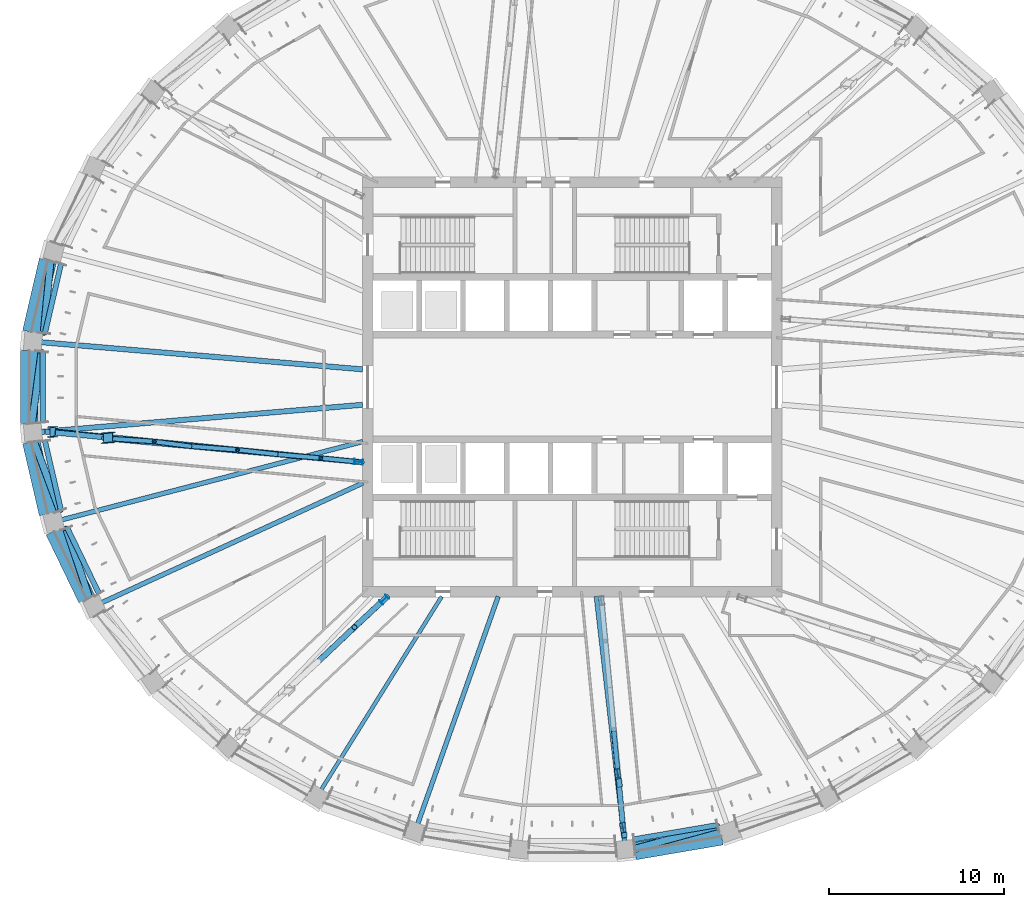
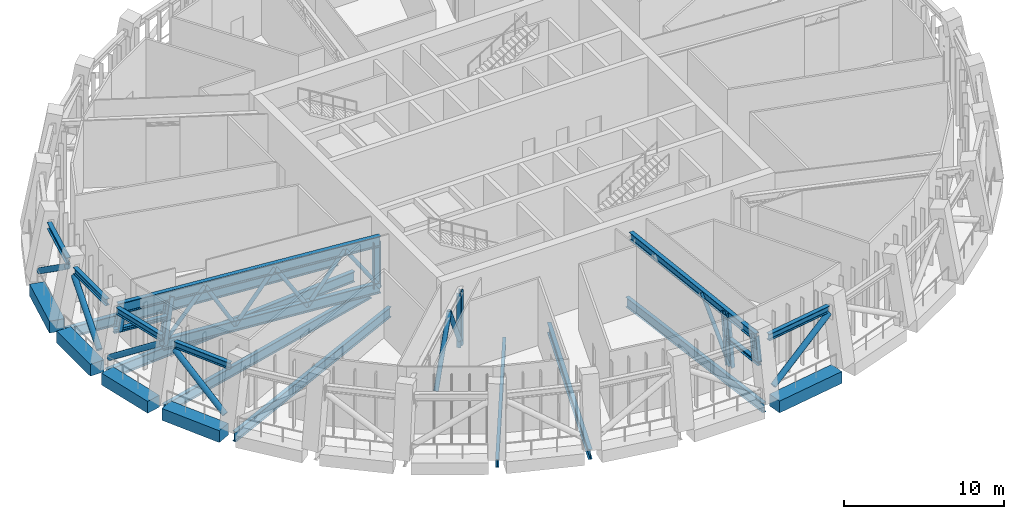
# One storey, part 2 of 20: 30 members, 12 beams.
"""IFC4 building model written with IfcOpenShell, lengths in metres."""

from ifc_helpers import new_model, si_unit, direction, frame, origin, origin_2d, place, context, subcontext, project, spatial, rectangle, hollow_circle, i_section, extrude, material, material_profile, profile_set, type_object, element, save


model = new_model("IFC4")

# Units and contexts
model_context = context("Model", 3, precision=1e-05, world=origin(), true_north=direction((0.0, 1.0)))
body_context = subcontext(model_context, "Body", "Model", "MODEL_VIEW")
ifc_project = project(units=[si_unit("LENGTHUNIT", "METRE"), si_unit("AREAUNIT", "SQUARE_METRE"), si_unit("VOLUMEUNIT", "CUBIC_METRE"), si_unit("PLANEANGLEUNIT", "RADIAN"), si_unit("MASSUNIT", "GRAM", prefix="KILO")], contexts=[model_context])

# Site, building, storey
site_placement = place(None, origin())
site = spatial("IfcSite", under=ifc_project, at=site_placement, CompositionType="ELEMENT")
building_placement = place(site_placement, origin())
building = spatial("IfcBuilding", under=site, at=building_placement, Name="Halqa Exchange Tower", CompositionType="ELEMENT")
storey_placement = place(building_placement, frame((0.0, 0.0, 250.89990234375)))
storey = spatial("IfcBuildingStorey", under=building, at=storey_placement, Name="L58", CompositionType="ELEMENT", Elevation=250.89990234375)

# Members
ifc_material_1 = material(Name="Steel S355", Category="steel")
ifc_material_profile_1 = material_profile(ifc_material_1, i_section(OverallWidth=0.300048828125, OverallDepth=0.5, WebThickness=0.014404296875, FlangeThickness=0.028076171875, FilletRadius=0.027099609375, at=origin_2d()), Name="HEB 500")
ifc_profile_set_1 = profile_set([ifc_material_profile_1], Name="Steel S355")
member_type_1 = type_object("IfcMemberType", Name="Belt truss chord HEB 500", PredefinedType="CHORD", material=ifc_profile_set_1)
member_1_placement = place(storey_placement, frame((-29.232421875, 7.0576171875, 4.25), z_axis=(-0.226017574115, -0.974123224336, 0.0), x_axis=(0.974123224336, -0.226017574115, 0.0)))
element("IfcMember", 1, at=member_1_placement, inside=storey, type_object=member_type_1, Name="Belt chord 15", PredefinedType="CHORD", context=body_context, shape_type="SweptSolid", body=[
    extrude(i_section(OverallWidth=0.300048828125, OverallDepth=0.5, WebThickness=0.014404296875, FlangeThickness=0.028076171875, FilletRadius=0.027099609375, at=origin_2d()), origin(), (0.0, 0.0, 1.0), 4.094970703125),
])
member_2_placement = place(storey_placement, frame((-30.27685546875, 2.029541015625, 4.25), z_axis=(0.0, -1.0, 0.0), x_axis=(1.0, 0.0, 0.0)))
element("IfcMember", 2, at=member_2_placement, inside=storey, type_object=member_type_1, Name="Belt chord 16", PredefinedType="CHORD", context=body_context, shape_type="SweptSolid", body=[
    extrude(i_section(OverallWidth=0.300048828125, OverallDepth=0.5, WebThickness=0.014404296875, FlangeThickness=0.028076171875, FilletRadius=0.027099609375, at=origin_2d()), origin(), (0.0, 0.0, 1.0), 4.05908203125),
])
member_3_placement = place(storey_placement, frame((-30.157958984375, -3.068603515625, 4.25), z_axis=(0.226017574115, -0.974123224336, 0.0), x_axis=(0.974123224336, 0.226017574115, 0.0)))
element("IfcMember", 3, at=member_3_placement, inside=storey, type_object=member_type_1, Name="Belt chord 17", PredefinedType="CHORD", context=body_context, shape_type="SweptSolid", body=[
    extrude(i_section(OverallWidth=0.300048828125, OverallDepth=0.5, WebThickness=0.014404296875, FlangeThickness=0.028076171875, FilletRadius=0.027099609375, at=origin_2d()), origin(), (0.0, 0.0, 1.0), 4.094970703125),
])
member_4_placement = place(storey_placement, frame((-28.884765625, -8.04296875, 4.25), z_axis=(0.4350908165, -0.90038657331, 0.0), x_axis=(0.90038657331, 0.4350908165, 0.0)))
element("IfcMember", 4, at=member_4_placement, inside=storey, type_object=member_type_1, Name="Belt chord 18", PredefinedType="CHORD", context=body_context, shape_type="SweptSolid", body=[
    extrude(i_section(OverallWidth=0.300048828125, OverallDepth=0.5, WebThickness=0.014404296875, FlangeThickness=0.028076171875, FilletRadius=0.027099609375, at=origin_2d()), origin(), (0.0, 0.0, 1.0), 4.195068359375),
])
member_5_placement = place(storey_placement, frame((3.498779296875, -25.863525390625, 4.25), z_axis=(0.985775224511, 0.168069053487, 0.0), x_axis=(-0.168069053487, 0.985775224511, 0.0)))
element("IfcMember", 5, at=member_5_placement, inside=storey, type_object=member_type_1, Name="Belt chord 25", PredefinedType="CHORD", context=body_context, shape_type="SweptSolid", body=[
    extrude(i_section(OverallWidth=0.300048828125, OverallDepth=0.5, WebThickness=0.014404296875, FlangeThickness=0.028076171875, FilletRadius=0.027099609375, at=origin_2d()), origin(), (0.0, 0.0, 1.0), 4.88525390625),
])
ifc_material_profile_2 = material_profile(ifc_material_1, hollow_circle(Radius=0.203125, WallThickness=0.02490234375, at=origin_2d()), Name="CHS 406.4x25")
ifc_profile_set_2 = profile_set([ifc_material_profile_2], Name="Steel S355")
member_type_2 = type_object("IfcMemberType", Name="Belt truss diagonal CHS 406.4x25", PredefinedType="BRACE", material=ifc_profile_set_2)
member_6_placement = place(storey_placement, frame((-29.82958984375, 7.206298828125, 0.8876953125), z_axis=(-0.077729788774, -0.80790279843, 0.584167055067), x_axis=(0.99540353066, -0.095769573188, 0.0)))
element("IfcMember", 6, at=member_6_placement, inside=storey, type_object=member_type_2, Name="Belt diagonal 15", PredefinedType="BRACE", context=body_context, shape_type="SweptSolid", body=[
    extrude(hollow_circle(Radius=0.203125, WallThickness=0.02490234375, at=origin_2d()), origin(), (0.0, 0.0, 1.0), 5.11328125),
])
member_7_placement = place(storey_placement, frame((-30.34619140625, 2.038818359375, 3.875), z_axis=(-0.107539329711, -0.804804314058, -0.583716805171), x_axis=(0.991190414938, -0.132444559474, 0.0)))
element("IfcMember", 7, at=member_7_placement, inside=storey, type_object=member_type_2, Name="Belt diagonal 16", PredefinedType="BRACE", context=body_context, shape_type="SweptSolid", body=[
    extrude(hollow_circle(Radius=0.203125, WallThickness=0.02490234375, at=origin_2d()), origin(), (0.0, 0.0, 1.0), 5.119384765625),
])
member_8_placement = place(storey_placement, frame((-30.779296875, -3.11865234375, 0.8818359375), z_axis=(0.285989857833, -0.764098993003, 0.578240892801), x_axis=(0.936549522453, 0.350535293506, 0.0)))
element("IfcMember", 8, at=member_8_placement, inside=storey, type_object=member_type_2, Name="Belt diagonal 17", PredefinedType="BRACE", context=body_context, shape_type="SweptSolid", body=[
    extrude(hollow_circle(Radius=0.203125, WallThickness=0.02490234375, at=origin_2d()), origin(), (0.0, 0.0, 1.0), 5.18603515625),
])
member_9_placement = place(storey_placement, frame((-28.9482421875, -8.064453125, 3.87939453125), z_axis=(0.25799046878, -0.773121821919, -0.579416574229), x_axis=(0.948579007058, 0.31654046719, 0.0)))
element("IfcMember", 9, at=member_9_placement, inside=storey, type_object=member_type_2, Name="Belt diagonal 18", PredefinedType="BRACE", context=body_context, shape_type="SweptSolid", body=[
    extrude(hollow_circle(Radius=0.203125, WallThickness=0.02490234375, at=origin_2d()), origin(), (0.0, 0.0, 1.0), 5.172607421875),
])
member_10_placement = place(storey_placement, frame((3.561767578125, -26.4033203125, 0.83203125), z_axis=(0.817505300684, 0.224772077294, 0.530247674793), x_axis=(-0.265110559266, 0.96421802066, 0.0)))
element("IfcMember", 10, at=member_10_placement, inside=storey, type_object=member_type_2, Name="Belt diagonal 25", PredefinedType="BRACE", context=body_context, shape_type="SweptSolid", body=[
    extrude(hollow_circle(Radius=0.203125, WallThickness=0.02490234375, at=origin_2d()), origin(), (0.0, 0.0, 1.0), 5.82958984375),
])

# Beams
ifc_material_profile_3 = material_profile(ifc_material_1, i_section(OverallWidth=0.300048828125, OverallDepth=0.800048828125, WebThickness=0.017578125, FlangeThickness=0.032958984375, FilletRadius=0.030029296875, at=origin_2d()), Name="HEB 800")
ifc_profile_set_3 = profile_set([ifc_material_profile_3], Name="Steel S355")
beam_type_1 = type_object("IfcBeamType", Name="Floor beam HEB 800", PredefinedType="BEAM", material=ifc_profile_set_3)
for number, where, z_axis, x_axis, name in (
    (11, (-11.972412109375, 1.0107421875, -0.75), (-0.996455630381, 0.084120013563, 0.0), (-0.084120013563, -0.996455630381, 0.0), "Radial beam 16"),
    (12, (-11.972412109375, -1.0107421875, -0.75), (-0.996455630381, -0.084120013563, 0.0), (0.084120013563, -0.996455630381, 0.0), "Radial beam 17"),
):
    element("IfcBeam", number, at=place(storey_placement, frame(where, z_axis=z_axis, x_axis=x_axis)), inside=storey, type_object=beam_type_1, Name=name, PredefinedType="BEAM", context=body_context, shape_type="SweptSolid", body=[
        extrude(i_section(OverallWidth=0.300048828125, OverallDepth=0.800048828125, WebThickness=0.017578125, FlangeThickness=0.032958984375, FilletRadius=0.030029296875, at=origin_2d()), origin(), (0.0, 0.0, 1.0), 18.78369140625),
    ])
ifc_material_profile_4 = material_profile(ifc_material_1, i_section(OverallWidth=0.219970703125, OverallDepth=0.60009765625, WebThickness=0.011962890625, FlangeThickness=0.01904296875, FilletRadius=0.02392578125, at=origin_2d()), Name="IPE 600")
ifc_profile_set_4 = profile_set([ifc_material_profile_4], Name="Steel S355")
beam_type_2 = type_object("IfcBeamType", Name="Floor beam IPE 600", PredefinedType="BEAM", material=ifc_profile_set_4)
beam_1_placement = place(storey_placement, frame((-7.4658203125, -11.972412109375, -0.64990234375), z_axis=(-0.529135296515, -0.848537469993, 0.0), x_axis=(0.848537469993, -0.529135296515, 0.0)))
element("IfcBeam", 13, at=beam_1_placement, inside=storey, type_object=beam_type_2, Name="Radial beam 22", PredefinedType="BEAM", context=body_context, shape_type="SweptSolid", body=[
    extrude(i_section(OverallWidth=0.219970703125, OverallDepth=0.60009765625, WebThickness=0.011962890625, FlangeThickness=0.01904296875, FilletRadius=0.02392578125, at=origin_2d()), origin(), (0.0, 0.0, 1.0), 13.319091796875),
])
ifc_material_profile_5 = material_profile(ifc_material_1, i_section(OverallWidth=0.264892578125, OverallDepth=0.7529296875, WebThickness=0.01318359375, FlangeThickness=0.01708984375, FilletRadius=0.01708984375, at=origin_2d()), Name="IPE 750x147")
ifc_profile_set_5 = profile_set([ifc_material_profile_5], Name="Steel S355")
beam_type_3 = type_object("IfcBeamType", Name="Floor beam IPE 750x147", PredefinedType="BEAM", material=ifc_profile_set_5)
beam_2_placement = place(storey_placement, frame((-4.23681640625, -11.9716796875, -0.726318359375), z_axis=(-0.333623449979, -0.942706419637, 0.0), x_axis=(0.942706419637, -0.333623449979, 0.0)))
element("IfcBeam", 14, at=beam_2_placement, inside=storey, type_object=beam_type_3, Name="Radial beam 23", PredefinedType="BEAM", context=body_context, shape_type="SweptSolid", body=[
    extrude(i_section(OverallWidth=0.264892578125, OverallDepth=0.7529296875, WebThickness=0.01318359375, FlangeThickness=0.01708984375, FilletRadius=0.01708984375, at=origin_2d()), origin(), (0.0, 0.0, 1.0), 14.08251953125),
])
beam_3_placement = place(storey_placement, frame((1.375732421875, -11.972900390625, -0.726318359375), z_axis=(0.114151559232, -0.993463346845, 0.0), x_axis=(0.993463346845, 0.114151559232, 0.0)))
element("IfcBeam", 15, at=beam_3_placement, inside=storey, type_object=beam_type_3, Name="Radial beam 25", PredefinedType="BEAM", context=body_context, shape_type="SweptSolid", body=[
    extrude(i_section(OverallWidth=0.264892578125, OverallDepth=0.7529296875, WebThickness=0.01318359375, FlangeThickness=0.01708984375, FilletRadius=0.01708984375, at=origin_2d()), origin(), (0.0, 0.0, 1.0), 14.37451171875),
])
ifc_material_profile_6 = material_profile(ifc_material_1, i_section(OverallWidth=0.26806640625, OverallDepth=0.77001953125, WebThickness=0.015625, FlangeThickness=0.025390625, FilletRadius=0.01708984375, at=origin_2d()), Name="IPE 750x196")
ifc_profile_set_6 = profile_set([ifc_material_profile_6], Name="Steel S355")
beam_type_4 = type_object("IfcBeamType", Name="Floor beam IPE 750x196", PredefinedType="BEAM", material=ifc_profile_set_6)
beam_4_placement = place(storey_placement, frame((-11.97119140625, -3.112548828125, -0.73486328125), z_axis=(-0.967817321114, -0.251653795821, 0.0), x_axis=(0.251653795821, -0.967817321114, 0.0)))
element("IfcBeam", 16, at=beam_4_placement, inside=storey, type_object=beam_type_4, Name="Radial beam 18", PredefinedType="BEAM", context=body_context, shape_type="SweptSolid", body=[
    extrude(i_section(OverallWidth=0.26806640625, OverallDepth=0.77001953125, WebThickness=0.015625, FlangeThickness=0.025390625, FilletRadius=0.01708984375, at=origin_2d()), origin(), (0.0, 0.0, 1.0), 18.116455078125),
])
beam_5_placement = place(storey_placement, frame((-11.97119140625, -5.484619140625, -0.73486328125), z_axis=(-0.909127215355, -0.41651855457, 0.0), x_axis=(0.41651855457, -0.909127215355, 0.0)))
element("IfcBeam", 17, at=beam_5_placement, inside=storey, type_object=beam_type_4, Name="Radial beam 19", PredefinedType="BEAM", context=body_context, shape_type="SweptSolid", body=[
    extrude(i_section(OverallWidth=0.26806640625, OverallDepth=0.77001953125, WebThickness=0.015625, FlangeThickness=0.025390625, FilletRadius=0.01708984375, at=origin_2d()), origin(), (0.0, 0.0, 1.0), 16.732666015625),
])

# Members
ifc_material_profile_7 = material_profile(ifc_material_1, i_section(OverallWidth=0.300048828125, OverallDepth=0.60009765625, WebThickness=0.015380859375, FlangeThickness=0.030029296875, FilletRadius=0.027099609375, at=origin_2d()), Name="HEB 600")
ifc_profile_set_7 = profile_set([ifc_material_profile_7], Name="Steel S355")
member_type_3 = type_object("IfcMemberType", Name="Outrigger chord HEB 600", PredefinedType="CHORD", material=ifc_profile_set_7)
member_11_placement = place(storey_placement, frame((1.6474609375, -11.97314453125, 4.2001953125), z_axis=(0.094376108245, -0.99553661419, 0.0), x_axis=(0.99553661419, 0.094376108245, 0.0)))
element("IfcMember", 18, at=member_11_placement, inside=storey, type_object=member_type_3, Name="Outrigger 7 chord", PredefinedType="CHORD", context=body_context, shape_type="SweptSolid", body=[
    extrude(i_section(OverallWidth=0.300048828125, OverallDepth=0.60009765625, WebThickness=0.015380859375, FlangeThickness=0.030029296875, FilletRadius=0.027099609375, at=origin_2d()), origin(), (0.0, 0.0, 1.0), 13.57080078125),
])
ifc_material_profile_8 = material_profile(ifc_material_1, i_section(OverallWidth=0.302978515625, OverallDepth=0.81396484375, WebThickness=0.02099609375, FlangeThickness=0.0400390625, FilletRadius=0.030029296875, at=origin_2d()), Name="HEM 800")
ifc_profile_set_8 = profile_set([ifc_material_profile_8], Name="Steel S355")
member_type_4 = type_object("IfcMemberType", Name="Outrigger chord HEM 800", PredefinedType="CHORD", material=ifc_profile_set_8)
member_12_placement = place(storey_placement, frame((-11.97314453125, -4.302490234375, 0.406982421875), z_axis=(-0.995684918772, 0.092798397241, 0.0), x_axis=(-0.092798397241, -0.995684918772, 0.0)))
element("IfcMember", 19, at=member_12_placement, inside=storey, type_object=member_type_4, Name="Outrigger 5 chord", PredefinedType="CHORD", context=body_context, shape_type="SweptSolid", body=[
    extrude(i_section(OverallWidth=0.302978515625, OverallDepth=0.81396484375, WebThickness=0.02099609375, FlangeThickness=0.0400390625, FilletRadius=0.030029296875, at=origin_2d()), origin(), (0.0, 0.0, 1.0), 14.92236328125),
])
member_13_placement = place(storey_placement, frame((-11.97314453125, -4.302490234375, 3.940185546875), z_axis=(-0.995069556043, 0.099179527302, 0.0), x_axis=(-0.099179527302, -0.995069556043, 0.0)))
element("IfcMember", 20, at=member_13_placement, inside=storey, type_object=member_type_4, Name="Outrigger 5 chord", PredefinedType="CHORD", context=body_context, shape_type="SweptSolid", body=[
    extrude(i_section(OverallWidth=0.302978515625, OverallDepth=0.81396484375, WebThickness=0.02099609375, FlangeThickness=0.0400390625, FilletRadius=0.030029296875, at=origin_2d()), origin(), (0.0, 0.0, 1.0), 17.9697265625),
])
ifc_material_profile_9 = material_profile(ifc_material_1, hollow_circle(Radius=0.136474609375, WallThickness=0.01611328125, at=origin_2d()), Name="CHS 273x16")
ifc_profile_set_9 = profile_set([ifc_material_profile_9], Name="Steel S355")
member_type_5 = type_object("IfcMemberType", Name="Outrigger diagonal CHS 273x16", PredefinedType="BRACE", material=ifc_profile_set_9)
member_14_placement = place(storey_placement, frame((-12.0, -4.300048828125, 0.406982421875), z_axis=(-0.5579149819, 0.055614128029, 0.828032572871), x_axis=(-0.099190497957, -0.995068462527, 0.0)))
element("IfcMember", 21, at=member_14_placement, inside=storey, type_object=member_type_5, Name="Outrigger 5 diagonal", PredefinedType="BRACE", context=body_context, shape_type="SweptSolid", body=[
    extrude(hollow_circle(Radius=0.136474609375, WallThickness=0.01611328125, at=origin_2d()), origin(), (0.0, 0.0, 1.0), 4.26708984375),
])
member_15_placement = place(storey_placement, frame((-14.380615234375, -4.062744140625, 3.940185546875), z_axis=(-0.585095982197, 0.051004352491, -0.809358540848), x_axis=(-0.086843285271, -0.996221985204, 0.0)))
element("IfcMember", 22, at=member_15_placement, inside=storey, type_object=member_type_5, Name="Outrigger 5 diagonal", PredefinedType="BRACE", context=body_context, shape_type="SweptSolid", body=[
    extrude(hollow_circle(Radius=0.136474609375, WallThickness=0.01611328125, at=origin_2d()), origin(), (0.0, 0.0, 1.0), 4.365478515625),
])
member_16_placement = place(storey_placement, frame((-16.934814453125, -3.840087890625, 0.406982421875), z_axis=(-0.528779773095, 0.060371802836, 0.846609235118), x_axis=(-0.113434989954, -0.99354542073, 0.0)))
element("IfcMember", 23, at=member_16_placement, inside=storey, type_object=member_type_5, Name="Outrigger 5 diagonal", PredefinedType="BRACE", context=body_context, shape_type="SweptSolid", body=[
    extrude(hollow_circle(Radius=0.136474609375, WallThickness=0.01611328125, at=origin_2d()), origin(), (0.0, 0.0, 1.0), 4.17333984375),
])
member_17_placement = place(storey_placement, frame((-19.1416015625, -3.588134765625, 3.940185546875), z_axis=(-0.610479913112, 0.04654813728, -0.7906627262), x_axis=(-0.076027748195, -0.997105702272, 0.0)))
element("IfcMember", 24, at=member_17_placement, inside=storey, type_object=member_type_5, Name="Outrigger 5 diagonal", PredefinedType="BRACE", context=body_context, shape_type="SweptSolid", body=[
    extrude(hollow_circle(Radius=0.136474609375, WallThickness=0.01611328125, at=origin_2d()), origin(), (0.0, 0.0, 1.0), 4.46875),
])
member_18_placement = place(storey_placement, frame((-21.86962890625, -3.380126953125, 0.406982421875), z_axis=(-0.49770489624, 0.065261016654, 0.864887759171), x_axis=(-0.130011011603, -0.991512550027, 0.0)))
element("IfcMember", 25, at=member_18_placement, inside=storey, type_object=member_type_5, Name="Outrigger 5 diagonal", PredefinedType="BRACE", context=body_context, shape_type="SweptSolid", body=[
    extrude(hollow_circle(Radius=0.136474609375, WallThickness=0.01611328125, at=origin_2d()), origin(), (0.0, 0.0, 1.0), 4.085205078125),
])
member_19_placement = place(storey_placement, frame((-23.90283203125, -3.113525390625, 3.940185546875), z_axis=(-0.634054146951, 0.042256048838, -0.772133256032), x_axis=(-0.066496720108, -0.997786643634, 0.0)))
element("IfcMember", 26, at=member_19_placement, inside=storey, type_object=member_type_5, Name="Outrigger 5 diagonal", PredefinedType="BRACE", context=body_context, shape_type="SweptSolid", body=[
    extrude(hollow_circle(Radius=0.136474609375, WallThickness=0.01611328125, at=origin_2d()), origin(), (0.0, 0.0, 1.0), 4.575927734375),
])
member_20_placement = place(storey_placement, frame((2.368896484375, -19.58447265625, 4.2001953125), z_axis=(0.05950708176, -0.607368947832, -0.792188025932), x_axis=(0.995234711764, 0.09750829965, 0.0)))
element("IfcMember", 27, at=member_20_placement, inside=storey, type_object=member_type_5, Name="Outrigger 7 diagonal", PredefinedType="BRACE", context=body_context, shape_type="SweptSolid", body=[
    extrude(hollow_circle(Radius=0.136474609375, WallThickness=0.01611328125, at=origin_2d()), origin(), (0.0, 0.0, 1.0), 4.92333984375),
])
ifc_material_profile_10 = material_profile(ifc_material_1, hollow_circle(Radius=0.161865234375, WallThickness=0.01611328125, at=origin_2d()), Name="CHS 323.9x16")
ifc_profile_set_10 = profile_set([ifc_material_profile_10], Name="Steel S355")
member_type_6 = type_object("IfcMemberType", Name="Outrigger diagonal CHS 323.9x16", PredefinedType="BRACE", material=ifc_profile_set_10)
member_21_placement = place(storey_placement, frame((-10.60009765625, -12.0, 0.25), z_axis=(-0.381458344853, -0.355964220503, 0.853099645331), x_axis=(0.682253133059, -0.731116038965, 0.0)))
element("IfcMember", 28, at=member_21_placement, inside=storey, type_object=member_type_6, Name="Outrigger 6 diagonal", PredefinedType="BRACE", context=body_context, shape_type="SweptSolid", body=[
    extrude(hollow_circle(Radius=0.161865234375, WallThickness=0.01611328125, at=origin_2d()), origin(), (0.0, 0.0, 1.0), 4.86474609375),
])
member_22_placement = place(storey_placement, frame((-12.455810546875, -13.731689453125, 4.400146484375), z_axis=(-0.411567491239, -0.388875032957, -0.824250210129), x_axis=(0.68678444654, -0.726861144917, 0.0)))
element("IfcMember", 29, at=member_22_placement, inside=storey, type_object=member_type_6, Name="Outrigger 6 diagonal", PredefinedType="BRACE", context=body_context, shape_type="SweptSolid", body=[
    extrude(hollow_circle(Radius=0.161865234375, WallThickness=0.01611328125, at=origin_2d()), origin(), (0.0, 0.0, 1.0), 5.03515625),
])
ifc_material_profile_11 = material_profile(ifc_material_1, i_section(OverallWidth=0.300048828125, OverallDepth=0.300048828125, WebThickness=0.010986328125, FlangeThickness=0.01904296875, FilletRadius=0.027099609375, at=origin_2d()), Name="HEB 300")
ifc_profile_set_11 = profile_set([ifc_material_profile_11], Name="Steel S355")
member_type_7 = type_object("IfcMemberType", Name="Outrigger opening chord HEB 300", PredefinedType="CHORD", material=ifc_profile_set_11)
member_23_placement = place(storey_placement, frame((-26.517822265625, -2.89599609375, 2.35009765625), z_axis=(-0.995354154186, 0.096281398743, 0.0), x_axis=(-0.096281398743, -0.995354154186, 0.0)))
element("IfcMember", 30, at=member_23_placement, inside=storey, type_object=member_type_7, Name="Outrigger 5 opening chord", PredefinedType="CHORD", context=body_context, shape_type="SweptSolid", body=[
    extrude(i_section(OverallWidth=0.300048828125, OverallDepth=0.300048828125, WebThickness=0.010986328125, FlangeThickness=0.01904296875, FilletRadius=0.027099609375, at=origin_2d()), origin(), (0.0, 0.0, 1.0), 3.646240234375),
])
member_24_placement = place(storey_placement, frame((2.6337890625, -22.331787109375, 2.35009765625), z_axis=(0.094849057042, -0.99549166565, 0.0), x_axis=(0.99549166565, 0.094849057042, 0.0)))
element("IfcMember", 31, at=member_24_placement, inside=storey, type_object=member_type_7, Name="Outrigger 7 opening chord", PredefinedType="CHORD", context=body_context, shape_type="SweptSolid", body=[
    extrude(i_section(OverallWidth=0.300048828125, OverallDepth=0.300048828125, WebThickness=0.010986328125, FlangeThickness=0.01904296875, FilletRadius=0.027099609375, at=origin_2d()), origin(), (0.0, 0.0, 1.0), 3.45947265625),
])
ifc_material_profile_12 = material_profile(ifc_material_1, i_section(OverallWidth=0.300048828125, OverallDepth=0.5, WebThickness=0.014404296875, FlangeThickness=0.028076171875, FilletRadius=0.027099609375, at=origin_2d()), Name="HEB 500")
ifc_profile_set_12 = profile_set([ifc_material_profile_12], Name="Steel S355")
member_type_8 = type_object("IfcMemberType", Name="Outrigger post HEB 500", PredefinedType="POST", material=ifc_profile_set_12)
member_25_placement = place(storey_placement, frame((-12.22119140625, -4.279296875, 0.406982421875), z_axis=(0.0, 0.0, 1.0), x_axis=(-0.092266314894, -0.99573436575, 0.0)))
element("IfcMember", 32, at=member_25_placement, inside=storey, type_object=member_type_8, Name="Outrigger 5 post", PredefinedType="POST", context=body_context, shape_type="SweptSolid", body=[
    extrude(i_section(OverallWidth=0.300048828125, OverallDepth=0.5, WebThickness=0.014404296875, FlangeThickness=0.028076171875, FilletRadius=0.027099609375, at=origin_2d()), origin(), (0.0, 0.0, 1.0), 3.533203125),
])
member_26_placement = place(storey_placement, frame((-10.761962890625, -12.152099609375, 0.25), z_axis=(0.0, 0.0, 1.0), x_axis=(0.684725206129, -0.728801339249, 0.0)))
element("IfcMember", 33, at=member_26_placement, inside=storey, type_object=member_type_8, Name="Outrigger 6 post", PredefinedType="POST", context=body_context, shape_type="SweptSolid", body=[
    extrude(i_section(OverallWidth=0.300048828125, OverallDepth=0.5, WebThickness=0.014404296875, FlangeThickness=0.028076171875, FilletRadius=0.027099609375, at=origin_2d()), origin(), (0.0, 0.0, 1.0), 4.150146484375),
])
ifc_material_profile_13 = material_profile(ifc_material_1, i_section(OverallWidth=0.300048828125, OverallDepth=0.60009765625, WebThickness=0.015380859375, FlangeThickness=0.030029296875, FilletRadius=0.027099609375, at=origin_2d()), Name="HEB 600")
ifc_profile_set_13 = profile_set([ifc_material_profile_13], Name="Steel S355")
member_type_9 = type_object("IfcMemberType", Name="Outrigger post HEB 600", PredefinedType="POST", material=ifc_profile_set_13)
member_27_placement = place(storey_placement, frame((-26.80419921875, -2.920166015625, 0.406982421875), z_axis=(0.145801767846, 0.012303946654, 0.989237310957), x_axis=(0.989287483341, -0.009110087354, -0.145695853112)))
element("IfcMember", 34, at=member_27_placement, inside=storey, type_object=member_type_9, Name="Outrigger 5 post", PredefinedType="POST", context=body_context, shape_type="SweptSolid", body=[
    extrude(i_section(OverallWidth=0.300048828125, OverallDepth=0.60009765625, WebThickness=0.015380859375, FlangeThickness=0.030029296875, FilletRadius=0.027099609375, at=origin_2d()), origin(), (0.0, 0.0, 1.0), 3.571533203125),
])
member_28_placement = place(storey_placement, frame((-29.849853515625, -2.57275390625, 2.35009765625), z_axis=(0.181175950002, 0.015248975792, 0.983332468638), x_axis=(0.983426516982, -0.009820814877, -0.181040982355)))
element("IfcMember", 35, at=member_28_placement, inside=storey, type_object=member_type_9, Name="Outrigger 5 post", PredefinedType="POST", context=body_context, shape_type="SweptSolid", body=[
    extrude(i_section(OverallWidth=0.300048828125, OverallDepth=0.60009765625, WebThickness=0.015380859375, FlangeThickness=0.030029296875, FilletRadius=0.027099609375, at=origin_2d()), origin(), (0.0, 0.0, 1.0), 1.616943359375),
])
member_29_placement = place(storey_placement, frame((2.661865234375, -22.57470703125, 0.300048828125), z_axis=(-0.013550266812, 0.117663555391, 0.992961065703), x_axis=(-0.978092376582, -0.207865269095, 0.011284182554)))
element("IfcMember", 36, at=member_29_placement, inside=storey, type_object=member_type_9, Name="Outrigger 7 post", PredefinedType="POST", context=body_context, shape_type="SweptSolid", body=[
    extrude(i_section(OverallWidth=0.300048828125, OverallDepth=0.60009765625, WebThickness=0.015380859375, FlangeThickness=0.030029296875, FilletRadius=0.027099609375, at=origin_2d()), origin(), (0.0, 0.0, 1.0), 3.927734375),
])
member_30_placement = place(storey_placement, frame((2.933349609375, -25.47802734375, 2.35009765625), z_axis=(-0.017984683283, 0.155997578912, 0.987593695069), x_axis=(-0.978124861391, -0.207479957145, 0.014960712303)))
element("IfcMember", 37, at=member_30_placement, inside=storey, type_object=member_type_9, Name="Outrigger 7 post", PredefinedType="POST", context=body_context, shape_type="SweptSolid", body=[
    extrude(i_section(OverallWidth=0.300048828125, OverallDepth=0.60009765625, WebThickness=0.015380859375, FlangeThickness=0.030029296875, FilletRadius=0.027099609375, at=origin_2d()), origin(), (0.0, 0.0, 1.0), 1.873291015625),
])

# Beams
ifc_material_2 = material(Name="Concrete C60/75", Category="concrete")
ifc_material_profile_14 = material_profile(ifc_material_2, rectangle(XDim=1.0, YDim=0.89990234375, at=origin_2d()), Name="1000 x 900")
ifc_profile_set_14 = profile_set([ifc_material_profile_14], Name="Concrete C60/75")
beam_type_5 = type_object("IfcBeamType", Name="RC spandrel beam 1000 x 900 C60/75", PredefinedType="SPANDREL", material=ifc_profile_set_14)
beam_6_placement = place(storey_placement, frame((-29.985595703125, 7.25341796875, -0.449951171875), z_axis=(-0.226039726133, -0.974118084325, 0.0), x_axis=(0.974118084325, -0.226039726133, 0.0)))
element("IfcBeam", 38, at=beam_6_placement, inside=storey, type_object=beam_type_5, Name="Spandrel 15", PredefinedType="SPANDREL", context=body_context, shape_type="SweptSolid", body=[
    extrude(rectangle(XDim=1.0, YDim=0.89990234375, at=origin_2d()), origin(), (0.0, 0.0, 1.0), 4.2294921875),
])
beam_7_placement = place(storey_placement, frame((-31.060302734375, 2.09716796875, -0.449951171875), z_axis=(0.0, -1.0, 0.0), x_axis=(1.0, 0.0, 0.0)))
element("IfcBeam", 39, at=beam_7_placement, inside=storey, type_object=beam_type_5, Name="Spandrel 16", PredefinedType="SPANDREL", context=body_context, shape_type="SweptSolid", body=[
    extrude(rectangle(XDim=1.0, YDim=0.89990234375, at=origin_2d()), origin(), (0.0, 0.0, 1.0), 4.1943359375),
])
beam_8_placement = place(storey_placement, frame((-30.941650390625, -3.13330078125, -0.449951171875), z_axis=(0.226039726133, -0.974118084325, 0.0), x_axis=(0.974118084325, 0.226039726133, 0.0)))
element("IfcBeam", 40, at=beam_8_placement, inside=storey, type_object=beam_type_5, Name="Spandrel 17", PredefinedType="SPANDREL", context=body_context, shape_type="SweptSolid", body=[
    extrude(rectangle(XDim=1.0, YDim=0.89990234375, at=origin_2d()), origin(), (0.0, 0.0, 1.0), 4.2294921875),
])
beam_9_placement = place(storey_placement, frame((-29.63818359375, -8.238525390625, -0.449951171875), z_axis=(0.435106956981, -0.900378773621, 0.0), x_axis=(0.900378773621, 0.435106956981, 0.0)))
element("IfcBeam", 41, at=beam_9_placement, inside=storey, type_object=beam_type_5, Name="Spandrel 18", PredefinedType="SPANDREL", context=body_context, shape_type="SweptSolid", body=[
    extrude(rectangle(XDim=1.0, YDim=0.89990234375, at=origin_2d()), origin(), (0.0, 0.0, 1.0), 4.330078125),
])
beam_10_placement = place(storey_placement, frame((3.57568359375, -26.534912109375, -0.449951171875), z_axis=(0.985775605401, 0.16806681944, 0.0), x_axis=(-0.16806681944, 0.985775605401, 0.0)))
element("IfcBeam", 42, at=beam_10_placement, inside=storey, type_object=beam_type_5, Name="Spandrel 25", PredefinedType="SPANDREL", context=body_context, shape_type="SweptSolid", body=[
    extrude(rectangle(XDim=1.0, YDim=0.89990234375, at=origin_2d()), origin(), (0.0, 0.0, 1.0), 5.039306640625),
])

save(model, "model.ifc")
